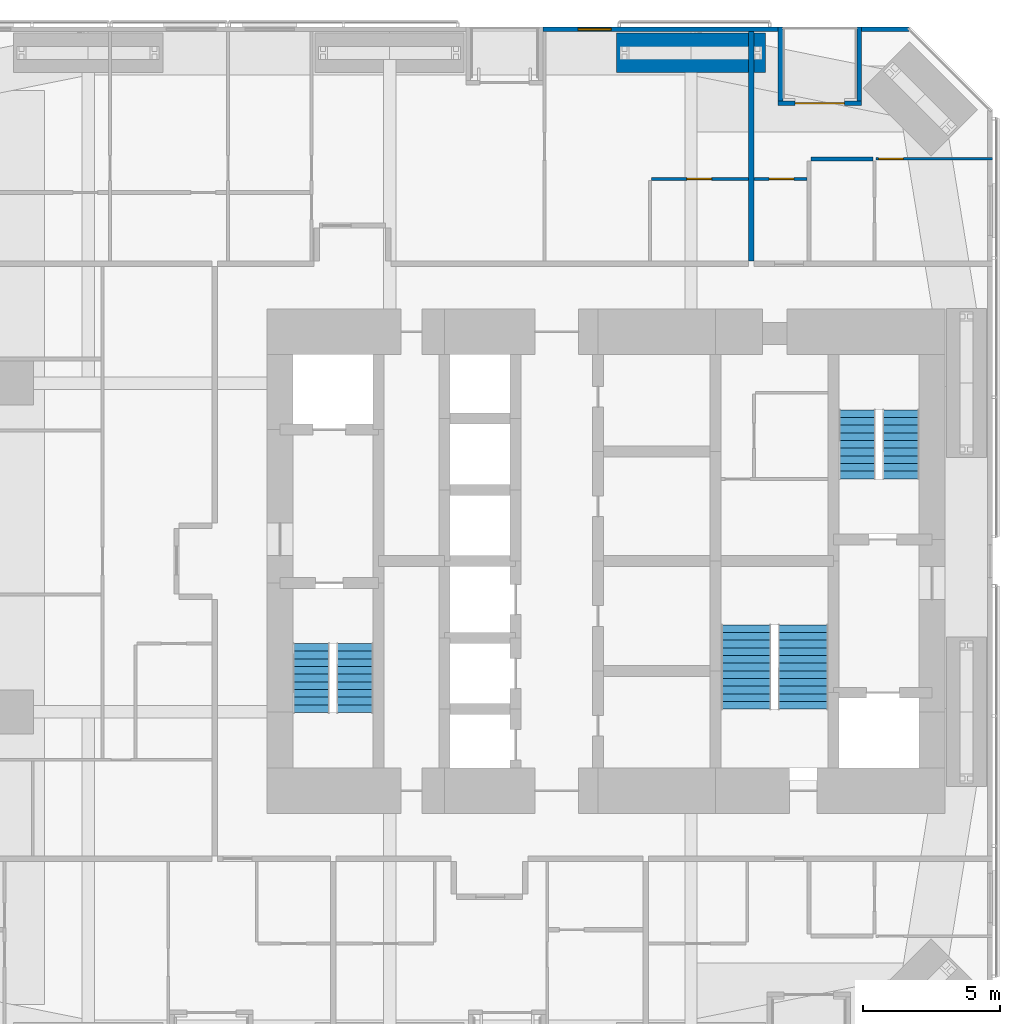
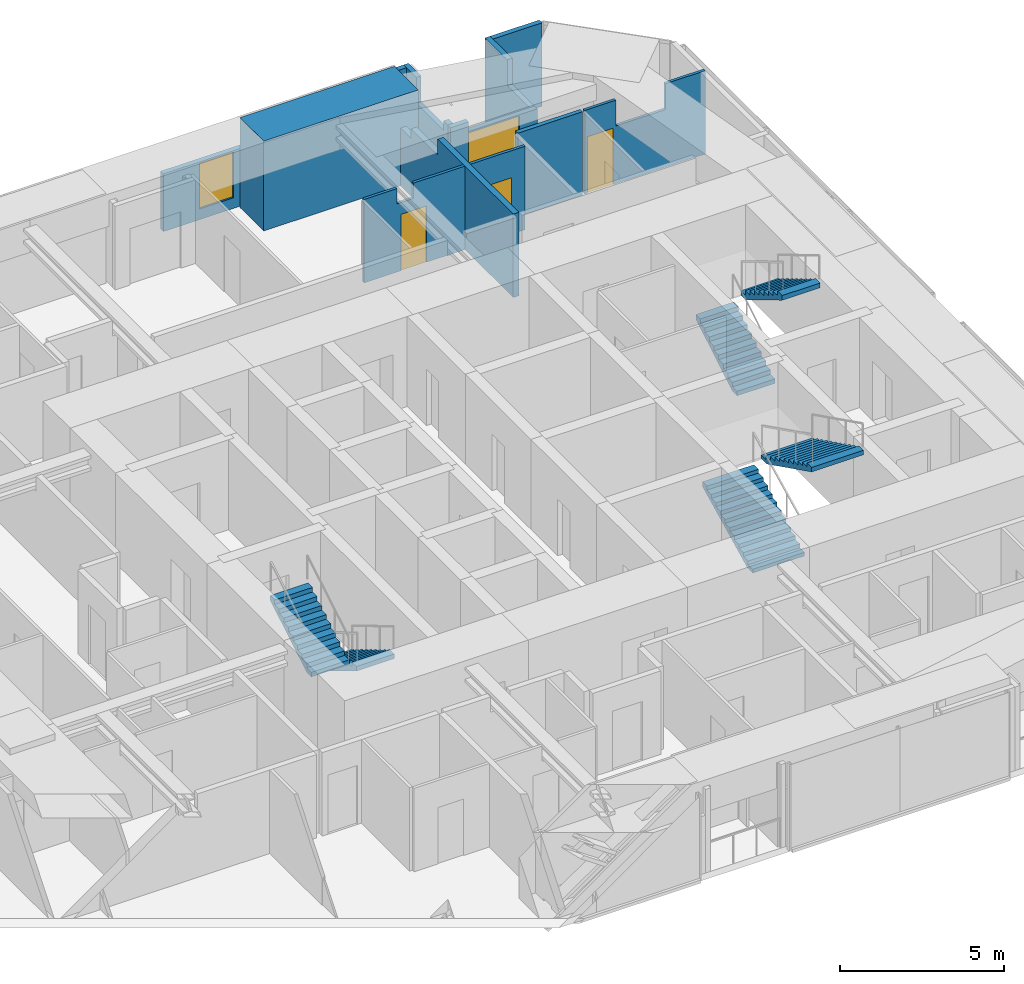
# One storey, part 22 of 23: 12 walls, 6 stair flights, 4 doors, 1 window, 5 openings, 3 elements without a shape of their own.
"""IFC4 building model written with IfcOpenShell, lengths in metres."""

from ifc_helpers import new_model, si_unit, direction, frame, frame_2d, origin, place, context, subcontext, project, spatial, polyline, rectangle, outline, extrude, material, layer, layer_set, constituent, constituent_set, type_object, element, fill, aggregate, save


model = new_model("IFC4")

# Units and contexts
model_context = context("Model", 3, precision=1e-05, world=origin(), true_north=direction((0.0, 1.0)))
body_context = subcontext(model_context, "Body", "Model", "MODEL_VIEW")
ifc_project = project(units=[si_unit("LENGTHUNIT", "METRE"), si_unit("AREAUNIT", "SQUARE_METRE"), si_unit("VOLUMEUNIT", "CUBIC_METRE"), si_unit("PLANEANGLEUNIT", "RADIAN"), si_unit("MASSUNIT", "GRAM", prefix="KILO")], contexts=[model_context])

# Site, building, storey
site_placement = place(None, origin())
site = spatial("IfcSite", under=ifc_project, at=site_placement, CompositionType="ELEMENT")
building_placement = place(site_placement, origin())
building = spatial("IfcBuilding", under=site, at=building_placement, Name="Jalousie Tower", CompositionType="ELEMENT")
storey_placement = place(building_placement, frame((0.0, 0.0, 27.699951171875)))
storey = spatial("IfcBuildingStorey", under=building, at=storey_placement, Name="L06", CompositionType="ELEMENT", Elevation=27.699951171875)

# Walls
ifc_material_1 = material(Name="Concrete block ASTM C90", Category="concrete")
ifc_constituent_1 = constituent(ifc_material_1, Name="Body")
ifc_material_2 = material(Name="Render")
ifc_constituent_2 = constituent(ifc_material_2, Name="Finish")
ifc_constituent_set_1 = constituent_set(constituents=[ifc_constituent_1, ifc_constituent_2])
wall_type_1 = type_object("IfcWallType", Name="BATHROOM WALL 150", PredefinedType="PLUMBINGWALL", material=ifc_constituent_set_1)
wall_1_placement = place(storey_placement, frame((39.375, 33.1826171875, 0.0), z_axis=(0.0, 0.0, 1.0), x_axis=(1.0, 0.0, 0.0)))
element("IfcWall", 1, at=wall_1_placement, inside=storey, type_object=wall_type_1, Name="Bathroom Wall 150 L06", PredefinedType="PLUMBINGWALL", context=body_context, shape_type="SweptSolid", body=[
    extrude(rectangle(XDim=2.27490234375, YDim=0.14990234375, at=frame_2d((1.137451171875, 0.0))), origin(), (0.0, 0.0, 1.0), 3.110107421875),
])
ifc_material_3 = material(Name="Concrete f'c 40 MPa", Category="concrete")
ifc_constituent_3 = constituent(ifc_material_3, Name="Body")
ifc_material_4 = material(Name="Render, pastel coral")
ifc_constituent_4 = constituent(ifc_material_4, Name="Finish")
ifc_constituent_set_2 = constituent_set(constituents=[ifc_constituent_3, ifc_constituent_4])
wall_type_2 = type_object("IfcWallType", Name="EXTERNAL WALL 175 CORAL RENDER", PredefinedType="SOLIDWALL", material=ifc_constituent_set_2)
wall_2_placement = place(storey_placement, frame((42.94873046875, 37.91259765625, 0.0), z_axis=(0.0, 0.0, 1.0), x_axis=(-1.0, 0.0, 0.0)))
element("IfcWall", 2, at=wall_2_placement, inside=storey, type_object=wall_type_2, Name="External Wall 175 Coral Render L06", PredefinedType="SOLIDWALL", context=body_context, shape_type="SweptSolid", body=[
    extrude(rectangle(XDim=1.72509765625, YDim=0.175048828125, at=frame_2d((0.862548828125, 0.0))), origin(), (0.0, 0.0, 1.0), 3.110107421875),
])

# Wall, opening, window
wall_3_placement = place(storey_placement, frame((38.173583984375, 37.91259765625, 0.0), z_axis=(0.0, 0.0, 1.0), x_axis=(-1.0, 0.0, 0.0)))
wall_3 = element("IfcWall", 3, at=wall_3_placement, inside=storey, type_object=wall_type_2, Name="External Wall 175 Coral Render L06", PredefinedType="SOLIDWALL", context=body_context, shape_type="SweptSolid", body=[
    extrude(outline(polyline([(0.0, 0.0), (8.5654296875, 0.0), (8.5654296875, 2.150146484375), (3.173583984375, 2.150146484375), (3.173583984375, 3.110107421875), (3.01806640625, 3.110107421875), (3.01806640625, 2.150146484375), (2.9697265625, 2.150146484375), (2.9697265625, 3.110107421875), (0.0, 3.110107421875), (0.0, 0.0)])), frame((0.0, 0.08740234375, 0.0), z_axis=(0.0, -1.0, 0.0), x_axis=(1.0, 0.0, 0.0)), (0.0, 0.0, 1.0), 0.175048828125),
])
opening_1_placement = place(wall_3_placement, frame((6.091796875, 0.0, 0.39990234375)))
opening_1 = element("IfcOpeningElement", 4, at=opening_1_placement, cuts=wall_3, Name="Opening W-COR170", PredefinedType="OPENING", context=body_context, shape_type="SweptSolid", body=[
    extrude(rectangle(XDim=1.199951171875, YDim=1.699951171875, at=frame_2d((0.60009765625, 0.85009765625))), frame((0.0, 0.097412109375, 0.0), z_axis=(0.0, -1.0, 0.0), x_axis=(1.0, 0.0, 0.0)), (0.0, 0.0, 1.0), 0.195068359375),
])
ifc_material_5 = material(Name="Aluminium frame, impact-rated glazing", Category="aluminium")
window_type = type_object("IfcWindowType", Name="WINDOW COR 1200x1700", PartitioningType="SINGLE_PANEL", PredefinedType="WINDOW", material=ifc_material_5)
window_placement = place(opening_1_placement, origin())
window = element("IfcWindow", 5, at=window_placement, inside=storey, type_object=window_type, Name="Apartment 0604 dining room window", OverallHeight=1.699951171875, OverallWidth=1.199951171875, PartitioningType="SINGLE_PANEL", PredefinedType="WINDOW", context=body_context, shape_type="SweptSolid", body=[
    extrude(rectangle(XDim=1.199951171875, YDim=1.699951171875, at=frame_2d((0.60009765625, 0.85009765625))), frame((0.0, 0.030029296875, 0.0), z_axis=(0.0, -1.0, 0.0), x_axis=(1.0, 0.0, 0.0)), (0.0, 0.0, 1.0), 0.06005859375),
])
fill(opening_1, window)

# Wall, opening, door
wall_4_placement = place(storey_placement, frame((41.2236328125, 35.21240234375, 0.0), z_axis=(0.0, 0.0, 1.0), x_axis=(-1.0, 0.0, 0.0)))
wall_4 = element("IfcWall", 6, at=wall_4_placement, inside=storey, type_object=wall_type_2, Name="External Wall 175 Coral Render L06-A", PredefinedType="SOLIDWALL", context=body_context, shape_type="SweptSolid", body=[
    extrude(rectangle(XDim=2.425048828125, YDim=0.175048828125, at=frame_2d((1.21240234375, 0.0))), origin(), (0.0, 0.0, 1.0), 2.150146484375),
])
opening_2_placement = place(wall_4_placement, frame((0.625, 0.0, 0.0)))
opening_2 = element("IfcOpeningElement", 7, at=opening_2_placement, cuts=wall_4, Name="Opening D-BAL21", PredefinedType="OPENING", context=body_context, shape_type="SweptSolid", body=[
    extrude(rectangle(XDim=1.800048828125, YDim=2.10009765625, at=frame_2d((0.89990234375, 1.050048828125))), frame((0.0, 0.097412109375, 0.0), z_axis=(0.0, -1.0, 0.0), x_axis=(1.0, 0.0, 0.0)), (0.0, 0.0, 1.0), 0.195068359375),
])
ifc_material_6 = material(Name="Aluminium frame, impact-rated glazing", Category="aluminium")
door_type_1 = type_object("IfcDoorType", Name="BALCONY DOOR 1800x2100", OperationType="SLIDING_TO_LEFT", PredefinedType="DOOR", material=ifc_material_6)
door_1_placement = place(opening_2_placement, origin())
door_1 = element("IfcDoor", 8, at=door_1_placement, inside=storey, type_object=door_type_1, Name="Apartment 0605 living and dining room loggia door", OperationType="SLIDING_TO_LEFT", OverallHeight=2.10009765625, OverallWidth=1.800048828125, PredefinedType="DOOR", context=body_context, shape_type="SweptSolid", body=[
    extrude(rectangle(XDim=1.800048828125, YDim=2.10009765625, at=frame_2d((0.89990234375, 1.050048828125))), frame((0.0, 0.02490234375, 0.0), z_axis=(0.0, -1.0, 0.0), x_axis=(1.0, 0.0, 0.0)), (0.0, 0.0, 1.0), 0.050048828125),
])
fill(opening_2, door_1)

# Walls
wall_5_placement = place(storey_placement, frame((38.798583984375, 35.21240234375, 0.0), z_axis=(0.0, 0.0, 1.0), x_axis=(-1.0, 0.0, 0.0)))
element("IfcWall", 9, at=wall_5_placement, inside=storey, type_object=wall_type_2, Name="External Wall 175 Coral Render L06-B", PredefinedType="SOLIDWALL", context=body_context, shape_type="SweptSolid", body=[
    extrude(rectangle(XDim=0.625, YDim=0.175048828125, at=frame_2d((0.3125, 0.0))), origin(), (0.0, 0.0, 1.0), 2.510009765625),
])
wall_6_placement = place(storey_placement, frame((41.13623046875, 38.0, 0.0), z_axis=(0.0, 0.0, 1.0), x_axis=(0.0, -1.0, 0.0)))
element("IfcWall", 10, at=wall_6_placement, inside=storey, type_object=wall_type_2, Name="External Wall 175 Coral Render L06", PredefinedType="SOLIDWALL", context=body_context, shape_type="SweptSolid", body=[
    extrude(outline(polyline([(0.0, 0.0), (2.699951171875, 0.0), (2.699951171875, 2.150146484375), (1.349365234375, 2.150146484375), (1.349365234375, 3.110107421875), (0.0, 3.110107421875), (0.0, 0.0)])), frame((0.0, 0.08740234375, 0.0), z_axis=(0.0, -1.0, 0.0), x_axis=(1.0, 0.0, 0.0)), (0.0, 0.0, 1.0), 0.175048828125),
])
wall_7_placement = place(storey_placement, frame((38.26123046875, 38.0, 0.0), z_axis=(0.0, 0.0, 1.0), x_axis=(0.0, -1.0, 0.0)))
element("IfcWall", 11, at=wall_7_placement, inside=storey, type_object=wall_type_2, Name="External Wall 175 Coral Render L06", PredefinedType="SOLIDWALL", context=body_context, shape_type="SweptSolid", body=[
    extrude(outline(polyline([(0.0, 0.0), (2.699951171875, 0.0), (2.699951171875, 2.510009765625), (2.438720703125, 2.510009765625), (2.438720703125, 2.150146484375), (0.771728515625, 2.150146484375), (0.771728515625, 3.110107421875), (0.0, 3.110107421875), (0.0, 0.0)])), frame((0.0, 0.08740234375, 0.0), z_axis=(0.0, -1.0, 0.0), x_axis=(1.0, 0.0, 0.0)), (0.0, 0.0, 1.0), 0.175048828125),
])

# Wall, opening, door
ifc_material_7 = material(Name="Gypsum board", Category="gypsum")
ifc_constituent_5 = constituent(ifc_material_7, Name="Body")
ifc_material_8 = material(Name="Light-gauge steel studs ASTM A653 SS Grade 33", Category="steel")
ifc_constituent_6 = constituent(ifc_material_8, Name="Framing")
ifc_constituent_set_3 = constituent_set(constituents=[ifc_constituent_5, ifc_constituent_6])
wall_type_3 = type_object("IfcWallType", Name="PARTITION 100", PredefinedType="PARTITIONING", material=ifc_constituent_set_3)
wall_8_placement = place(storey_placement, frame((33.550048828125, 32.449951171875, 0.0), z_axis=(0.0, 0.0, 1.0), x_axis=(1.0, 0.0, 0.0)))
wall_8 = element("IfcWall", 12, at=wall_8_placement, inside=storey, type_object=wall_type_3, Name="Partition 100 L06", PredefinedType="PARTITIONING", context=body_context, shape_type="SweptSolid", body=[
    extrude(outline(polyline([(0.0, 0.0), (3.550048828125, 0.0), (3.550048828125, 3.110107421875), (1.7373046875, 3.110107421875), (1.7373046875, 2.541015625), (1.16259765625, 2.541015625), (1.16259765625, 3.110107421875), (0.0, 3.110107421875), (0.0, 0.0)])), frame((0.0, 0.050048828125, 0.0), z_axis=(0.0, -1.0, 0.0), x_axis=(1.0, 0.0, 0.0)), (0.0, 0.0, 1.0), 0.10009765625),
])
opening_3_placement = place(wall_8_placement, frame((1.300048828125, 0.0, 0.0)))
opening_3 = element("IfcOpeningElement", 13, at=opening_3_placement, cuts=wall_8, Name="Opening D7", PredefinedType="OPENING", context=body_context, shape_type="SweptSolid", body=[
    extrude(rectangle(XDim=0.89990234375, YDim=2.10009765625, at=frame_2d((0.449951171875, 1.050048828125))), frame((0.0, 0.06005859375, 0.0), z_axis=(0.0, -1.0, 0.0), x_axis=(1.0, 0.0, 0.0)), (0.0, 0.0, 1.0), 0.1201171875),
])
ifc_material_9 = material(Name="Timber door", Category="wood")
door_type_2 = type_object("IfcDoorType", Name="INTERNAL DOOR 900", OperationType="SINGLE_SWING_LEFT", PredefinedType="DOOR", material=ifc_material_9)
door_2_placement = place(opening_3_placement, origin())
door_2 = element("IfcDoor", 14, at=door_2_placement, inside=storey, type_object=door_type_2, Name="Apartment 0604 kitchen door", OperationType="SINGLE_SWING_RIGHT", OverallHeight=2.10009765625, OverallWidth=0.89990234375, PredefinedType="DOOR", context=body_context, shape_type="SweptSolid", body=[
    extrude(rectangle(XDim=0.89990234375, YDim=2.10009765625, at=frame_2d((0.449951171875, 1.050048828125))), frame((0.0, 0.02490234375, 0.0), z_axis=(0.0, -1.0, 0.0), x_axis=(1.0, 0.0, 0.0)), (0.0, 0.0, 1.0), 0.050048828125),
])
fill(opening_3, door_2)

wall_9_placement = place(storey_placement, frame((41.75, 33.1826171875, 0.0), z_axis=(0.0, 0.0, 1.0), x_axis=(1.0, 0.0, 0.0)))
wall_9 = element("IfcWall", 15, at=wall_9_placement, inside=storey, type_object=wall_type_3, Name="Partition 100 L06", PredefinedType="PARTITIONING", context=body_context, shape_type="SweptSolid", body=[
    extrude(outline(polyline([(0.0, 0.0), (4.25, 0.0), (4.25, 3.110107421875), (2.84423828125, 3.110107421875), (2.84423828125, 2.150146484375), (1.101806640625, 2.150146484375), (1.101806640625, 3.110107421875), (0.0, 3.110107421875), (0.0, 0.0)])), frame((0.0, 0.050048828125, 0.0), z_axis=(0.0, -1.0, 0.0), x_axis=(1.0, 0.0, 0.0)), (0.0, 0.0, 1.0), 0.10009765625),
])
opening_4_placement = place(wall_9_placement, frame((0.10009765625, 0.0, 0.0)))
opening_4 = element("IfcOpeningElement", 16, at=opening_4_placement, cuts=wall_9, Name="Opening D2", PredefinedType="OPENING", context=body_context, shape_type="SweptSolid", body=[
    extrude(rectangle(XDim=0.89990234375, YDim=2.10009765625, at=frame_2d((0.449951171875, 1.050048828125))), frame((0.0, 0.06005859375, 0.0), z_axis=(0.0, -1.0, 0.0), x_axis=(1.0, 0.0, 0.0)), (0.0, 0.0, 1.0), 0.1201171875),
])
ifc_material_10 = material(Name="Timber door", Category="wood")
door_type_3 = type_object("IfcDoorType", Name="BEDROOM DOOR 900", OperationType="SINGLE_SWING_LEFT", PredefinedType="DOOR", material=ifc_material_10)
door_3_placement = place(opening_4_placement, frame((0.89990234375, 0.0, 0.0), z_axis=(0.0, 0.0, 1.0), x_axis=(-1.0, 0.0, 0.0)))
door_3 = element("IfcDoor", 17, at=door_3_placement, inside=storey, type_object=door_type_3, Name="Apartment 0605 bedroom 1 door", OperationType="SINGLE_SWING_RIGHT", OverallHeight=2.10009765625, OverallWidth=0.89990234375, PredefinedType="DOOR", context=body_context, shape_type="SweptSolid", body=[
    extrude(rectangle(XDim=0.89990234375, YDim=2.10009765625, at=frame_2d((0.449951171875, 1.050048828125))), frame((0.0, 0.02490234375, 0.0), z_axis=(0.0, -1.0, 0.0), x_axis=(1.0, 0.0, 0.0)), (0.0, 0.0, 1.0), 0.050048828125),
])
fill(opening_4, door_3)

wall_10_placement = place(storey_placement, frame((37.300048828125, 32.449951171875, 0.0), z_axis=(0.0, 0.0, 1.0), x_axis=(1.0, 0.0, 0.0)))
wall_10 = element("IfcWall", 18, at=wall_10_placement, inside=storey, type_object=wall_type_3, Name="Partition 100 L06", PredefinedType="PARTITIONING", context=body_context, shape_type="SweptSolid", body=[
    extrude(rectangle(XDim=1.925048828125, YDim=0.10009765625, at=frame_2d((0.96240234375, 0.0))), origin(), (0.0, 0.0, 1.0), 3.110107421875),
])
opening_5_placement = place(wall_10_placement, frame((0.550048828125, 0.0, 0.0)))
opening_5 = element("IfcOpeningElement", 19, at=opening_5_placement, cuts=wall_10, Name="Opening D7", PredefinedType="OPENING", context=body_context, shape_type="SweptSolid", body=[
    extrude(rectangle(XDim=0.89990234375, YDim=2.10009765625, at=frame_2d((0.449951171875, 1.050048828125))), frame((0.0, 0.06005859375, 0.0), z_axis=(0.0, -1.0, 0.0), x_axis=(1.0, 0.0, 0.0)), (0.0, 0.0, 1.0), 0.1201171875),
])
door_4_placement = place(opening_5_placement, frame((0.89990234375, 0.0, 0.0), z_axis=(0.0, 0.0, 1.0), x_axis=(-1.0, 0.0, 0.0)))
door_4 = element("IfcDoor", 20, at=door_4_placement, inside=storey, type_object=door_type_2, Name="Apartment 0605 kitchen door", OperationType="SINGLE_SWING_LEFT", OverallHeight=2.10009765625, OverallWidth=0.89990234375, PredefinedType="DOOR", context=body_context, shape_type="SweptSolid", body=[
    extrude(rectangle(XDim=0.89990234375, YDim=2.10009765625, at=frame_2d((0.449951171875, 1.050048828125))), frame((0.0, 0.02490234375, 0.0), z_axis=(0.0, -1.0, 0.0), x_axis=(1.0, 0.0, 0.0)), (0.0, 0.0, 1.0), 0.050048828125),
])
fill(opening_5, door_4)

# Walls
ifc_material_11 = material(Name="Concrete block ASTM C90", Category="concrete")
ifc_constituent_7 = constituent(ifc_material_11, Name="Body")
ifc_material_12 = material(Name="Render")
ifc_constituent_8 = constituent(ifc_material_12, Name="Finish")
ifc_constituent_set_4 = constituent_set(constituents=[ifc_constituent_7, ifc_constituent_8])
wall_type_4 = type_object("IfcWallType", Name="PARTY WALL 200", PredefinedType="PARTITIONING", material=ifc_constituent_set_4)
wall_11_placement = place(storey_placement, frame((37.199951171875, 37.824951171875, 0.0), z_axis=(0.0, 0.0, 1.0), x_axis=(0.0, -1.0, 0.0)))
element("IfcWall", 21, at=wall_11_placement, inside=storey, type_object=wall_type_4, Name="Party Wall 200 L06", PredefinedType="PARTITIONING", context=body_context, shape_type="SweptSolid", body=[
    extrude(outline(polyline([(0.0, 0.0), (8.375, 0.0), (8.375, 3.110107421875), (3.766357421875, 3.110107421875), (3.766357421875, 2.510009765625), (2.145263671875, 2.510009765625), (2.145263671875, 2.150146484375), (0.288818359375, 2.150146484375), (0.288818359375, 3.110107421875), (0.0, 3.110107421875), (0.0, 0.0)])), frame((0.0, 0.10009765625, 0.0), z_axis=(0.0, -1.0, 0.0), x_axis=(1.0, 0.0, 0.0)), (0.0, 0.0, 1.0), 0.199951171875),
])
ifc_material_13 = material(Name="Concrete f'c 120 MPa", Category="concrete")
ifc_layer = layer(ifc_material_13, 1.449951171875)
ifc_layer_set = layer_set([ifc_layer], Name="Concrete f'c 120 MPa")
wall_type_5 = type_object("IfcWallType", Name="RC WALL PIER 1450", PredefinedType="SHEAR", material=ifc_layer_set)
wall_12_placement = place(storey_placement, frame((32.27490234375, 37.050048828125, 0.0), z_axis=(0.0, 0.0, 1.0), x_axis=(1.0, 0.0, 0.0)))
element("IfcWall", 22, at=wall_12_placement, inside=storey, type_object=wall_type_5, Name="Wall pier 09 L06", PredefinedType="SHEAR", context=body_context, shape_type="SweptSolid", body=[
    extrude(rectangle(XDim=5.4501953125, YDim=1.449951171875, at=frame_2d((2.72509765625, 0.0))), origin(), (0.0, 0.0, 1.0), 3.35009765625),
])

# Stair, stair flights
ifc_material_14 = material(Name="Concrete f'c 40 MPa", Category="concrete")
stair_type = type_object("IfcStairType", Name="EXIT STAIR", PredefinedType="HALF_TURN_STAIR", material=ifc_material_14)
stair_1_placement = place(storey_placement, origin())
stair_1 = element("IfcStair", 23, at=stair_1_placement, inside=storey, type_object=stair_type, Name="Exit stair A L06", PredefinedType="HALF_TURN_STAIR")
ifc_material_15 = material(Name="Concrete f'c 40 MPa", Category="concrete")
stair_flight_type = type_object("IfcStairFlightType", Name="STAIR FLIGHT", PredefinedType="STRAIGHT", material=ifc_material_15)
stair_flight_1_placement = place(storey_placement, frame((22.731201171875, 15.49755859375, 0.0), z_axis=(0.0, 0.0, 1.0), x_axis=(0.0, -1.0, 0.0)))
stair_flight_1 = element("IfcStairFlight", 24, at=stair_flight_1_placement, type_object=stair_flight_type, Name="ST-A flight 1", NumberOfRisers=10, NumberOfTreads=9, PredefinedType="STRAIGHT", RiserHeight=0.1675, TreadLength=0.28, context=body_context, shape_type="SweptSolid", body=[
    extrude(outline(polyline([(0.0, 0.0), (0.0, 0.16748046875), (0.280029296875, 0.16748046875), (0.280029296875, 0.3349609375), (0.56005859375, 0.3349609375), (0.56005859375, 0.50244140625), (0.840087890625, 0.50244140625), (0.840087890625, 0.669921875), (1.1201171875, 0.669921875), (1.1201171875, 0.83740234375), (1.39990234375, 0.83740234375), (1.39990234375, 1.0048828125), (1.679931640625, 1.0048828125), (1.679931640625, 1.172607421875), (1.9599609375, 1.172607421875), (1.9599609375, 1.340087890625), (2.239990234375, 1.340087890625), (2.239990234375, 1.507568359375), (2.52001953125, 1.507568359375), (2.52001953125, 1.675048828125), (2.52001953125, 1.332763671875), (0.2919921875, 0.0), (0.0, 0.0)])), frame((0.0, 0.668701171875, 0.0), z_axis=(0.0, -1.0, 0.0), x_axis=(1.0, 0.0, 0.0)), (0.0, 0.0, 1.0), 1.33740234375),
])
stair_flight_2_placement = place(storey_placement, frame((21.143798828125, 12.9775390625, 1.675048828125), z_axis=(0.0, 0.0, 1.0), x_axis=(0.0, 1.0, 0.0)))
stair_flight_2 = element("IfcStairFlight", 25, at=stair_flight_2_placement, type_object=stair_flight_type, Name="ST-A flight 2", NumberOfRisers=10, NumberOfTreads=9, PredefinedType="STRAIGHT", RiserHeight=0.1675, TreadLength=0.28, context=body_context, shape_type="SweptSolid", body=[
    extrude(outline(polyline([(0.0, 0.0), (0.0, 0.16748046875), (0.280029296875, 0.16748046875), (0.280029296875, 0.3349609375), (0.56005859375, 0.3349609375), (0.56005859375, 0.50244140625), (0.840087890625, 0.50244140625), (0.840087890625, 0.669921875), (1.1201171875, 0.669921875), (1.1201171875, 0.83740234375), (1.39990234375, 0.83740234375), (1.39990234375, 1.0048828125), (1.679931640625, 1.0048828125), (1.679931640625, 1.172607421875), (1.9599609375, 1.172607421875), (1.9599609375, 1.340087890625), (2.239990234375, 1.340087890625), (2.239990234375, 1.507568359375), (2.52001953125, 1.507568359375), (2.52001953125, 1.675048828125), (2.52001953125, 1.332763671875), (0.2919921875, 0.0), (0.0, 0.0)])), frame((0.0, 0.668701171875, 0.0), z_axis=(0.0, -1.0, 0.0), x_axis=(1.0, 0.0, 0.0)), (0.0, 0.0, 1.0), 1.33740234375),
])
aggregate(stair_1, [stair_flight_1, stair_flight_2])

stair_2_placement = place(storey_placement, origin())
stair_2 = element("IfcStair", 26, at=stair_2_placement, inside=storey, type_object=stair_type, Name="Exit stair B L06", PredefinedType="HALF_TURN_STAIR")
stair_flight_3_placement = place(storey_placement, frame((41.06884765625, 21.50244140625, 0.0), z_axis=(0.0, 0.0, 1.0), x_axis=(0.0, 1.0, 0.0)))
stair_flight_3 = element("IfcStairFlight", 27, at=stair_flight_3_placement, type_object=stair_flight_type, Name="ST-B flight 1", NumberOfRisers=10, NumberOfTreads=9, PredefinedType="STRAIGHT", RiserHeight=0.1675, TreadLength=0.28, context=body_context, shape_type="SweptSolid", body=[
    extrude(outline(polyline([(0.0, 0.0), (0.0, 0.16748046875), (0.280029296875, 0.16748046875), (0.280029296875, 0.3349609375), (0.56005859375, 0.3349609375), (0.56005859375, 0.50244140625), (0.840087890625, 0.50244140625), (0.840087890625, 0.669921875), (1.1201171875, 0.669921875), (1.1201171875, 0.83740234375), (1.39990234375, 0.83740234375), (1.39990234375, 1.0048828125), (1.679931640625, 1.0048828125), (1.679931640625, 1.172607421875), (1.9599609375, 1.172607421875), (1.9599609375, 1.340087890625), (2.239990234375, 1.340087890625), (2.239990234375, 1.507568359375), (2.52001953125, 1.507568359375), (2.52001953125, 1.675048828125), (2.52001953125, 1.332763671875), (0.2919921875, 0.0), (0.0, 0.0)])), frame((0.0, 0.668701171875, 0.0), z_axis=(0.0, -1.0, 0.0), x_axis=(1.0, 0.0, 0.0)), (0.0, 0.0, 1.0), 1.33740234375),
])
stair_flight_4_placement = place(storey_placement, frame((42.65625, 24.0224609375, 1.675048828125), z_axis=(0.0, 0.0, 1.0), x_axis=(0.0, -1.0, 0.0)))
stair_flight_4 = element("IfcStairFlight", 28, at=stair_flight_4_placement, type_object=stair_flight_type, Name="ST-B flight 2", NumberOfRisers=10, NumberOfTreads=9, PredefinedType="STRAIGHT", RiserHeight=0.1675, TreadLength=0.28, context=body_context, shape_type="SweptSolid", body=[
    extrude(outline(polyline([(0.0, 0.0), (0.0, 0.16748046875), (0.280029296875, 0.16748046875), (0.280029296875, 0.3349609375), (0.56005859375, 0.3349609375), (0.56005859375, 0.50244140625), (0.840087890625, 0.50244140625), (0.840087890625, 0.669921875), (1.1201171875, 0.669921875), (1.1201171875, 0.83740234375), (1.39990234375, 0.83740234375), (1.39990234375, 1.0048828125), (1.679931640625, 1.0048828125), (1.679931640625, 1.172607421875), (1.9599609375, 1.172607421875), (1.9599609375, 1.340087890625), (2.239990234375, 1.340087890625), (2.239990234375, 1.507568359375), (2.52001953125, 1.507568359375), (2.52001953125, 1.675048828125), (2.52001953125, 1.332763671875), (0.2919921875, 0.0), (0.0, 0.0)])), frame((0.0, 0.668701171875, 0.0), z_axis=(0.0, -1.0, 0.0), x_axis=(1.0, 0.0, 0.0)), (0.0, 0.0, 1.0), 1.33740234375),
])
aggregate(stair_2, [stair_flight_3, stair_flight_4])

stair_3_placement = place(storey_placement, origin())
stair_3 = element("IfcStair", 29, at=stair_3_placement, inside=storey, type_object=stair_type, Name="Exit stair C L06", PredefinedType="HALF_TURN_STAIR")
stair_flight_5_placement = place(storey_placement, frame((37.012451171875, 13.097412109375, 0.0), z_axis=(0.0, 0.0, 1.0), x_axis=(0.0, 1.0, 0.0)))
stair_flight_5 = element("IfcStairFlight", 30, at=stair_flight_5_placement, type_object=stair_flight_type, Name="ST-C flight 1", NumberOfRisers=12, NumberOfTreads=11, PredefinedType="STRAIGHT", RiserHeight=0.139583333, TreadLength=0.28, context=body_context, shape_type="SweptSolid", body=[
    extrude(outline(polyline([(0.0, 0.0), (0.0, 0.1396484375), (0.280029296875, 0.1396484375), (0.280029296875, 0.279052734375), (0.56005859375, 0.279052734375), (0.56005859375, 0.418701171875), (0.840087890625, 0.418701171875), (0.840087890625, 0.558349609375), (1.1201171875, 0.558349609375), (1.1201171875, 0.697998046875), (1.39990234375, 0.697998046875), (1.39990234375, 0.83740234375), (1.679931640625, 0.83740234375), (1.679931640625, 0.97705078125), (1.9599609375, 0.97705078125), (1.9599609375, 1.11669921875), (2.239990234375, 1.11669921875), (2.239990234375, 1.25634765625), (2.52001953125, 1.25634765625), (2.52001953125, 1.395751953125), (2.800048828125, 1.395751953125), (2.800048828125, 1.535400390625), (3.080078125, 1.535400390625), (3.080078125, 1.675048828125), (3.080078125, 1.367919921875), (0.3359375, 0.0), (0.0, 0.0)])), frame((0.0, 0.91259765625, 0.0), z_axis=(0.0, -1.0, 0.0), x_axis=(1.0, 0.0, 0.0)), (0.0, 0.0, 1.0), 1.824951171875),
])
stair_flight_6_placement = place(storey_placement, frame((39.08740234375, 16.177490234375, 1.675048828125), z_axis=(0.0, 0.0, 1.0), x_axis=(0.0, -1.0, 0.0)))
stair_flight_6 = element("IfcStairFlight", 31, at=stair_flight_6_placement, type_object=stair_flight_type, Name="ST-C flight 2", NumberOfRisers=12, NumberOfTreads=11, PredefinedType="STRAIGHT", RiserHeight=0.139583333, TreadLength=0.28, context=body_context, shape_type="SweptSolid", body=[
    extrude(outline(polyline([(0.0, 0.0), (0.0, 0.1396484375), (0.280029296875, 0.1396484375), (0.280029296875, 0.279052734375), (0.56005859375, 0.279052734375), (0.56005859375, 0.418701171875), (0.840087890625, 0.418701171875), (0.840087890625, 0.558349609375), (1.1201171875, 0.558349609375), (1.1201171875, 0.697998046875), (1.39990234375, 0.697998046875), (1.39990234375, 0.83740234375), (1.679931640625, 0.83740234375), (1.679931640625, 0.97705078125), (1.9599609375, 0.97705078125), (1.9599609375, 1.11669921875), (2.239990234375, 1.11669921875), (2.239990234375, 1.25634765625), (2.52001953125, 1.25634765625), (2.52001953125, 1.395751953125), (2.800048828125, 1.395751953125), (2.800048828125, 1.535400390625), (3.080078125, 1.535400390625), (3.080078125, 1.675048828125), (3.080078125, 1.367919921875), (0.3359375, 0.0), (0.0, 0.0)])), frame((0.0, 0.91259765625, 0.0), z_axis=(0.0, -1.0, 0.0), x_axis=(1.0, 0.0, 0.0)), (0.0, 0.0, 1.0), 1.824951171875),
])
aggregate(stair_3, [stair_flight_5, stair_flight_6])

save(model, "model.ifc")
